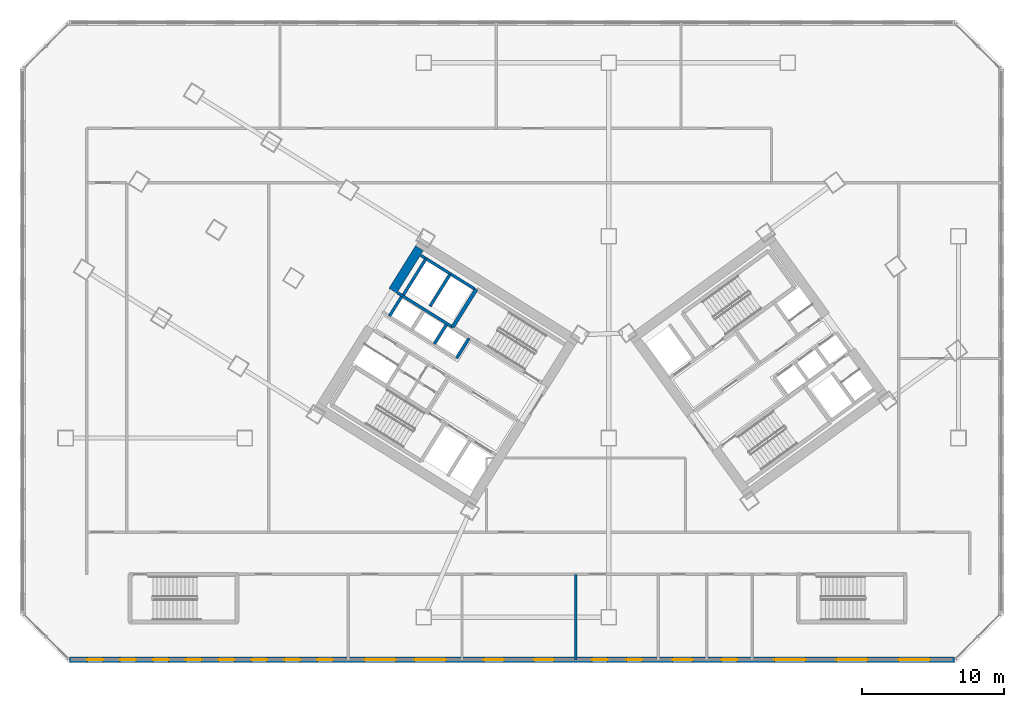
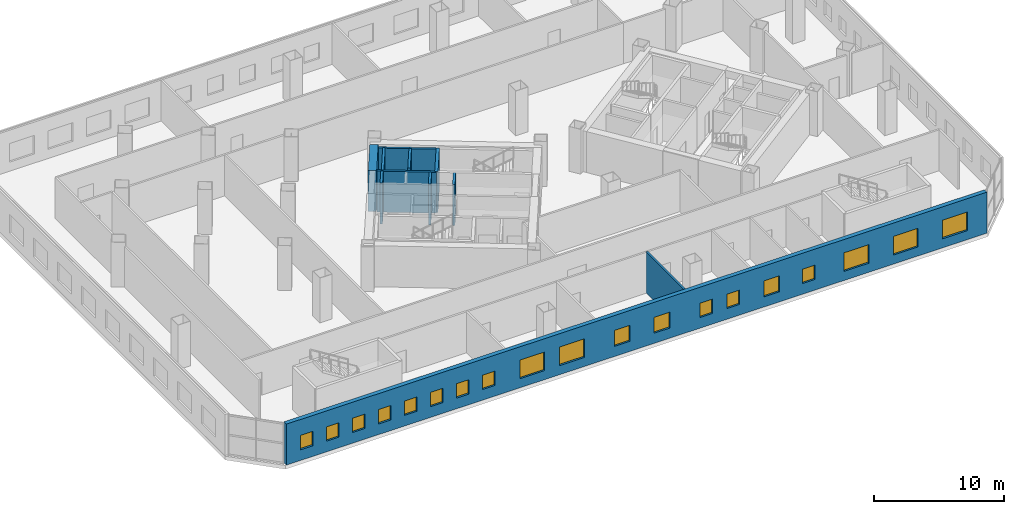
# One storey, part 11 of 22: 19 windows, 11 walls, 19 openings.
"""IFC4 building model written with IfcOpenShell, lengths in metres."""

import ifcopenshell
import ifcopenshell.guid

model = None  # the IFC model being written
_history = None  # IfcOwnerHistory: only IFC2X3 demands one
_inside = {}  # id of a spatial element -> (the spatial element, [elements in it])
_under = {}  # id of a project, library or spatial element -> (it, [spatial elements below it])
_declared = {}  # id of a project -> (the project, [libraries it declares])
_typed = {}  # id of a type object -> (the type object, [elements of that type])
_made_of = {}  # id of a material, layer set ... -> (it, [elements and type objects made of it])


def new_model(schema):
    """Start an empty IFC model of exactly this schema.

    Asked for "IFC4X3", IfcOpenShell would pick the latest addendum, in which some entities
    have other attributes; the version numbers below select the first issue.
    IFC2X3 requires an IfcOwnerHistory on every rooted entity: one is made here for all.
    """
    global model, _history
    if schema == "IFC4X3":
        model = ifcopenshell.file(schema_version=(4, 3, 0, 0))
    else:
        model = ifcopenshell.file(schema=schema)
    _inside.clear()
    _under.clear()
    _declared.clear()
    _typed.clear()
    _made_of.clear()
    _history = None
    if model.schema == "IFC2X3":
        org = make("IfcOrganization", Name="unknown")
        user = make(
            "IfcPersonAndOrganization",
            ThePerson=make("IfcPerson", FamilyName="unknown"),
            TheOrganization=org,
        )
        app = make(
            "IfcApplication",
            ApplicationDeveloper=org,
            Version="unknown",
            ApplicationFullName="unknown",
            ApplicationIdentifier="unknown",
        )
        _history = make(
            "IfcOwnerHistory",
            OwningUser=user,
            OwningApplication=app,
            ChangeAction="ADDED",
            CreationDate=0,
        )
    return model


def make(cls, **values):
    """One entity of the class cls with the attributes given. An attribute that is None is left unset."""
    return model.create_entity(
        cls, **{name: value for name, value in values.items() if value is not None}
    )


def rooted(cls, **values):
    """An entity with a GlobalId (a new one), such as an element, a storey or a relation."""
    return make(cls, GlobalId=ifcopenshell.guid.new(), OwnerHistory=_history, **values)


def si_unit(unit_type, name, prefix=None):
    """IfcSIUnit, for example si_unit("LENGTHUNIT", "METRE", prefix="MILLI")."""
    return make("IfcSIUnit", UnitType=unit_type, Prefix=prefix, Name=name)


def assignment(units):
    """IfcUnitAssignment: the units of a project."""
    return None if units is None else make("IfcUnitAssignment", Units=units)


def point(xyz):
    """IfcCartesianPoint."""
    return None if xyz is None else make("IfcCartesianPoint", Coordinates=xyz)


def direction(xyz):
    """IfcDirection."""
    return None if xyz is None else make("IfcDirection", DirectionRatios=xyz)


def frame(location, z_axis=None, x_axis=None):
    """IfcAxis2Placement3D, a coordinate frame: its origin and axes. An axis left out is left unset."""
    return make(
        "IfcAxis2Placement3D",
        Location=point(location),
        Axis=direction(z_axis),
        RefDirection=direction(x_axis),
    )


def frame_2d(location, x_axis=None):
    """IfcAxis2Placement2D, a coordinate frame in the plane: its origin and x axis."""
    return make(
        "IfcAxis2Placement2D", Location=point(location), RefDirection=direction(x_axis)
    )


def origin():
    """The frame at (0, 0, 0) with its axes left unset."""
    return frame((0.0, 0.0, 0.0))


def place(relative_to, where):
    """IfcLocalPlacement: puts the frame where relative to a parent placement (None: the world)."""
    return make(
        "IfcLocalPlacement", PlacementRelTo=relative_to, RelativePlacement=where
    )


def context(
    kind, dimensions, precision=None, world=None, true_north=None, identifier=None
):
    """IfcGeometricRepresentationContext, for example the 3D "Model" context."""
    return make(
        "IfcGeometricRepresentationContext",
        ContextIdentifier=identifier,
        ContextType=kind,
        CoordinateSpaceDimension=dimensions,
        Precision=precision,
        WorldCoordinateSystem=world,
        TrueNorth=true_north,
    )


def subcontext(parent, identifier, kind, view, scale=None):
    """IfcGeometricRepresentationSubContext, for example "Body" below "Model"."""
    return make(
        "IfcGeometricRepresentationSubContext",
        ContextIdentifier=identifier,
        ContextType=kind,
        ParentContext=parent,
        TargetScale=scale,
        TargetView=view,
    )


def project(units=None, contexts=None):
    """IfcProject with its units and contexts."""
    return rooted(
        "IfcProject",
        Name="project",
        RepresentationContexts=contexts,
        UnitsInContext=assignment(units),
    )


def spatial(cls, under=None, at=None, **own):
    """A site, building, storey or space (cls), placed at a placement, below another one or the project."""
    s = rooted(cls, ObjectPlacement=at, **own)
    if under is not None:
        _under.setdefault(under.id(), (under, []))[1].append(s)
    return s


def profile(cls, at=None, kind="AREA", **sizes):
    """A parametric profile (cls). Its sizes go by their IFC names, for example OverallWidth=200.0."""
    return make(cls, ProfileType=kind, Position=at, **sizes)


def rectangle(**sizes):
    """IfcRectangleProfileDef."""
    return profile("IfcRectangleProfileDef", **sizes)


def extrude(swept, where, along, depth):
    """IfcExtrudedAreaSolid: the profile swept, set in the frame where, extruded along a direction by depth."""
    return make(
        "IfcExtrudedAreaSolid",
        SweptArea=swept,
        Position=where,
        ExtrudedDirection=direction(along),
        Depth=depth,
    )


def shape(context_of_items, identifier, shape_type, items):
    """IfcShapeRepresentation: the items that make up one representation, for example the "Body"."""
    return make(
        "IfcShapeRepresentation",
        ContextOfItems=context_of_items,
        RepresentationIdentifier=identifier,
        RepresentationType=shape_type,
        Items=items,
    )


def source(mapping_origin, context_of_items, identifier, shape_type, items):
    """IfcRepresentationMap: a shape defined once, which mapped items show again and again."""
    return make(
        "IfcRepresentationMap",
        MappingOrigin=mapping_origin,
        MappedRepresentation=shape(context_of_items, identifier, shape_type, items),
    )


def transform(
    local_origin,
    x_axis=None,
    y_axis=None,
    z_axis=None,
    scale=None,
    scale2=None,
    scale3=None,
    uniform=True,
):
    """IfcCartesianTransformationOperator3D, or its non-uniform kind. x_axis, y_axis, z_axis: its Axis1, 2, 3."""
    if uniform:
        return make(
            "IfcCartesianTransformationOperator3D",
            Axis1=direction(x_axis),
            Axis2=direction(y_axis),
            LocalOrigin=point(local_origin),
            Scale=scale,
            Axis3=direction(z_axis),
        )
    return make(
        "IfcCartesianTransformationOperator3DnonUniform",
        Axis1=direction(x_axis),
        Axis2=direction(y_axis),
        LocalOrigin=point(local_origin),
        Scale=scale,
        Axis3=direction(z_axis),
        Scale2=scale2,
        Scale3=scale3,
    )


def mapped(mapping_source, mapping_target):
    """IfcMappedItem: shows the shape of a source again, moved by a transform."""
    return make(
        "IfcMappedItem", MappingSource=mapping_source, MappingTarget=mapping_target
    )


def material(Name=None, Category=None):
    """IfcMaterial."""
    return make("IfcMaterial", Name=Name, Category=Category)


def layer(
    of_material, thickness, ventilated=None, Name=None, Category=None, Priority=None
):
    """IfcMaterialLayer: one layer of a wall or slab, of a material (None: an air gap)."""
    return make(
        "IfcMaterialLayer",
        Material=of_material,
        LayerThickness=thickness,
        IsVentilated=ventilated,
        Name=Name,
        Category=Category,
        Priority=Priority,
    )


def layer_set(layers, Name=None):
    """IfcMaterialLayerSet."""
    return make("IfcMaterialLayerSet", MaterialLayers=layers, LayerSetName=Name)


def made_of(thing, what):
    """Note that an element or type object is made of a material, layer set ...; save() writes the relation."""
    if what is not None:
        _made_of.setdefault(what.id(), (what, []))[1].append(thing)
    return thing


def type_object(cls, material=None, **own):
    """A type object (cls), such as IfcWallType, which elements share."""
    return made_of(rooted(cls, **own), material)


def element(
    cls,
    number,
    at=None,
    inside=None,
    cuts=None,
    type_object=None,
    material=None,
    context=None,
    identifier="Body",
    shape_type=None,
    held_by="IfcProductDefinitionShape",
    body=None,
    shapes=None,
    **own,
):
    """One element of the class cls, such as IfcWall. Its Tag is "e" and its number.

    at: its placement. inside: the storey or other place that contains it. cuts: it is an
    opening in that element (IfcRelVoidsElement). A single representation is given by context,
    identifier, shape_type and body (its items); several are given by shapes. held_by: the class
    of the entity that holds the representations. save() writes the other relations.
    """
    e = rooted(cls, Tag="e%d" % number, ObjectPlacement=at, **own)
    if body is not None:
        shapes = [shape(context, identifier, shape_type, body)]
    if shapes is not None:
        e.Representation = make(held_by, Representations=shapes)
    if inside is not None:
        _inside.setdefault(inside.id(), (inside, []))[1].append(e)
    if cuts is not None:
        rooted(
            "IfcRelVoidsElement", RelatingBuildingElement=cuts, RelatedOpeningElement=e
        )
    if type_object is not None:
        _typed.setdefault(type_object.id(), (type_object, []))[1].append(e)
    return made_of(e, material)


def fill(opening, filler):
    """IfcRelFillsElement: the door or window that sits in an opening."""
    return rooted(
        "IfcRelFillsElement",
        RelatingOpeningElement=opening,
        RelatedBuildingElement=filler,
    )


def aggregate(whole, parts):
    """IfcRelAggregates: a whole, such as a stair, and the parts it consists of."""
    return rooted("IfcRelAggregates", RelatingObject=whole, RelatedObjects=parts)


def save(model, path):
    """Write the relations noted so far, then the file.

    IfcRelAggregates (storeys below a building ...), IfcRelContainedInSpatialStructure (elements
    in a storey), IfcRelDefinesByType, IfcRelAssociatesMaterial and IfcRelDeclares: one each for
    every whole, place, type object, material and project.
    """
    for whole, parts in _under.values():
        aggregate(whole, parts)
    for where, things in _inside.values():
        rooted(
            "IfcRelContainedInSpatialStructure",
            RelatedElements=things,
            RelatingStructure=where,
        )
    for kind, things in _typed.values():
        rooted("IfcRelDefinesByType", RelatedObjects=things, RelatingType=kind)
    for what, things in _made_of.values():
        rooted("IfcRelAssociatesMaterial", RelatedObjects=things, RelatingMaterial=what)
    for by, libraries in _declared.values():
        rooted("IfcRelDeclares", RelatingContext=by, RelatedDefinitions=libraries)
    model.write(path)


model = new_model("IFC4")

# Units and contexts
model_context = context("Model", 3, precision=1e-05, world=origin(), true_north=direction((0.0, 1.0)))
body_context = subcontext(model_context, "Body", "Model", "MODEL_VIEW")
ifc_project = project(units=[si_unit("LENGTHUNIT", "METRE"), si_unit("AREAUNIT", "SQUARE_METRE"), si_unit("VOLUMEUNIT", "CUBIC_METRE"), si_unit("PLANEANGLEUNIT", "RADIAN"), si_unit("MASSUNIT", "GRAM", prefix="KILO")], contexts=[model_context])

# Site, building, storey
site_placement = place(None, origin())
site = spatial("IfcSite", under=ifc_project, at=site_placement, CompositionType="ELEMENT")
building_placement = place(site_placement, origin())
building = spatial("IfcBuilding", under=site, at=building_placement, Name="Tlacorven Tower", CompositionType="ELEMENT")
storey_placement = place(building_placement, frame((0.0, 0.0, 10.199951171875)))
storey = spatial("IfcBuildingStorey", under=building, at=storey_placement, Name="L02", CompositionType="ELEMENT", Elevation=10.199951171875)

# Walls
ifc_material_1 = material(Name="Concrete C60/75", Category="concrete")
ifc_layer_1 = layer(ifc_material_1, 0.64990234375)
ifc_layer_set_1 = layer_set([ifc_layer_1], Name="Concrete C60/75")
wall_type_1 = type_object("IfcWallType", Name="WL-COR-650", PredefinedType="SHEAR", material=ifc_layer_set_1)
wall_1_placement = place(storey_placement, frame((29.49072265625, 30.5517578125, 0.0), z_axis=(0.0, 0.0, 1.0), x_axis=(-0.529893103397, -0.8480644427, 0.0)))
element("IfcWall", 1, at=wall_1_placement, inside=storey, type_object=wall_type_1, Name="L02 W core end wall E2.1", PredefinedType="SHEAR", context=body_context, shape_type="SweptSolid", body=[
    extrude(rectangle(XDim=3.525146484375, YDim=0.64990234375, at=frame_2d((1.7626953125, 0.0))), origin(), (0.0, 0.0, 1.0), 3.85009765625),
])
ifc_material_2 = material(Name="Gypsum plasterboard acoustic partition", Category="gypsum")
ifc_layer_2 = layer(ifc_material_2, 0.159912109375)
ifc_layer_set_2 = layer_set([ifc_layer_2], Name="Gypsum plasterboard acoustic partition")
wall_type_2 = type_object("IfcWallType", Name="WL-DEM-160", PredefinedType="PARTITIONING", material=ifc_layer_set_2)
wall_2_placement = place(storey_placement, frame((40.489990234375, 1.60009765625, 0.0), z_axis=(0.0, 0.0, 1.0), x_axis=(0.0, 1.0, 0.0)))
element("IfcWall", 2, at=wall_2_placement, inside=storey, type_object=wall_type_2, Name="L02 partition 71", PredefinedType="PARTITIONING", context=body_context, shape_type="SweptSolid", body=[
    extrude(rectangle(XDim=6.02001953125, YDim=0.159912109375, at=frame_2d((3.010009765625, 0.0))), origin(), (0.0, 0.0, 1.0), 3.840087890625),
])

# Wall, openings, windows
ifc_material_3 = material(Name="Precast concrete C45/55", Category="concrete")
ifc_layer_3 = layer(ifc_material_3, 0.3798828125)
ifc_layer_set_3 = layer_set([ifc_layer_3], Name="Precast concrete C45/55")
wall_type_3 = type_object("IfcWallType", Name="WL-EXT-380", PredefinedType="STANDARD", material=ifc_layer_set_3)
wall_3_placement = place(storey_placement, frame((67.1171875, 1.60009765625, 0.0), z_axis=(0.0, 0.0, 1.0), x_axis=(-1.0, 0.0, 0.0)))
wall_3 = element("IfcWall", 3, at=wall_3_placement, inside=storey, type_object=wall_type_3, Name="L02 Podium Masonry-Frame Facade Wall 8", PredefinedType="STANDARD", context=body_context, shape_type="SweptSolid", body=[
    extrude(rectangle(XDim=62.234375, YDim=0.3798828125, at=frame_2d((31.1171875, 0.0))), origin(), (0.0, 0.0, 1.0), 3.85009765625),
])
opening_1_placement = place(wall_3_placement, frame((1.734619140625, 0.0, 0.85009765625)))
opening_1 = element("IfcOpeningElement", 4, at=opening_1_placement, cuts=wall_3, Name="Opening WN14", PredefinedType="OPENING", context=body_context, shape_type="SweptSolid", body=[
    extrude(rectangle(XDim=2.199951171875, YDim=1.75, at=frame_2d((1.10009765625, 0.875))), frame((0.0, 0.199951171875, 0.0), z_axis=(0.0, -1.0, 0.0), x_axis=(1.0, 0.0, 0.0)), (0.0, 0.0, 1.0), 0.39990234375),
])
opening_2_placement = place(wall_3_placement, frame((6.103515625, 0.0, 0.85009765625)))
opening_2 = element("IfcOpeningElement", 5, at=opening_2_placement, cuts=wall_3, Name="Opening WN14", PredefinedType="OPENING", context=body_context, shape_type="SweptSolid", body=[
    extrude(rectangle(XDim=2.199951171875, YDim=1.75, at=frame_2d((1.10009765625, 0.875))), frame((0.0, 0.199951171875, 0.0), z_axis=(0.0, -1.0, 0.0), x_axis=(1.0, 0.0, 0.0)), (0.0, 0.0, 1.0), 0.39990234375),
])
opening_3_placement = place(wall_3_placement, frame((10.47265625, 0.0, 0.85009765625)))
opening_3 = element("IfcOpeningElement", 6, at=opening_3_placement, cuts=wall_3, Name="Opening WN14", PredefinedType="OPENING", context=body_context, shape_type="SweptSolid", body=[
    extrude(rectangle(XDim=2.199951171875, YDim=1.75, at=frame_2d((1.10009765625, 0.875))), frame((0.0, 0.199951171875, 0.0), z_axis=(0.0, -1.0, 0.0), x_axis=(1.0, 0.0, 0.0)), (0.0, 0.0, 1.0), 0.39990234375),
])
opening_4_placement = place(wall_3_placement, frame((15.277099609375, 0.0, 1.0)))
opening_4 = element("IfcOpeningElement", 7, at=opening_4_placement, cuts=wall_3, Name="Opening WN16", PredefinedType="OPENING", context=body_context, shape_type="SweptSolid", body=[
    extrude(rectangle(XDim=1.10009765625, YDim=1.35009765625, at=frame_2d((0.550048828125, 0.675048828125))), frame((0.0, 0.199951171875, 0.0), z_axis=(0.0, -1.0, 0.0), x_axis=(1.0, 0.0, 0.0)), (0.0, 0.0, 1.0), 0.39990234375),
])
opening_5_placement = place(wall_3_placement, frame((18.422119140625, 0.0, 0.949951171875)))
opening_5 = element("IfcOpeningElement", 8, at=opening_5_placement, cuts=wall_3, Name="Opening WN15", PredefinedType="OPENING", context=body_context, shape_type="SweptSolid", body=[
    extrude(rectangle(XDim=1.39990234375, YDim=1.5, at=frame_2d((0.699951171875, 0.75))), frame((0.0, 0.199951171875, 0.0), z_axis=(0.0, -1.0, 0.0), x_axis=(1.0, 0.0, 0.0)), (0.0, 0.0, 1.0), 0.39990234375),
])
opening_6_placement = place(wall_3_placement, frame((21.96728515625, 0.0, 1.0)))
opening_6 = element("IfcOpeningElement", 9, at=opening_6_placement, cuts=wall_3, Name="Opening WN16", PredefinedType="OPENING", context=body_context, shape_type="SweptSolid", body=[
    extrude(rectangle(XDim=1.10009765625, YDim=1.35009765625, at=frame_2d((0.550048828125, 0.675048828125))), frame((0.0, 0.199951171875, 0.0), z_axis=(0.0, -1.0, 0.0), x_axis=(1.0, 0.0, 0.0)), (0.0, 0.0, 1.0), 0.39990234375),
])
opening_7_placement = place(wall_3_placement, frame((24.38720703125, 0.0, 1.0)))
opening_7 = element("IfcOpeningElement", 10, at=opening_7_placement, cuts=wall_3, Name="Opening WN16", PredefinedType="OPENING", context=body_context, shape_type="SweptSolid", body=[
    extrude(rectangle(XDim=1.10009765625, YDim=1.35009765625, at=frame_2d((0.550048828125, 0.675048828125))), frame((0.0, 0.199951171875, 0.0), z_axis=(0.0, -1.0, 0.0), x_axis=(1.0, 0.0, 0.0)), (0.0, 0.0, 1.0), 0.39990234375),
])
opening_8_placement = place(wall_3_placement, frame((28.167236328125, 0.0, 0.949951171875)))
opening_8 = element("IfcOpeningElement", 11, at=opening_8_placement, cuts=wall_3, Name="Opening WN15", PredefinedType="OPENING", context=body_context, shape_type="SweptSolid", body=[
    extrude(rectangle(XDim=1.39990234375, YDim=1.5, at=frame_2d((0.699951171875, 0.75))), frame((0.0, 0.199951171875, 0.0), z_axis=(0.0, -1.0, 0.0), x_axis=(1.0, 0.0, 0.0)), (0.0, 0.0, 1.0), 0.39990234375),
])
opening_9_placement = place(wall_3_placement, frame((31.687255859375, 0.0, 0.949951171875)))
opening_9 = element("IfcOpeningElement", 12, at=opening_9_placement, cuts=wall_3, Name="Opening WN15", PredefinedType="OPENING", context=body_context, shape_type="SweptSolid", body=[
    extrude(rectangle(XDim=1.39990234375, YDim=1.5, at=frame_2d((0.699951171875, 0.75))), frame((0.0, 0.199951171875, 0.0), z_axis=(0.0, -1.0, 0.0), x_axis=(1.0, 0.0, 0.0)), (0.0, 0.0, 1.0), 0.39990234375),
])
opening_10_placement = place(wall_3_placement, frame((35.76708984375, 0.0, 0.85009765625)))
opening_10 = element("IfcOpeningElement", 13, at=opening_10_placement, cuts=wall_3, Name="Opening WN14", PredefinedType="OPENING", context=body_context, shape_type="SweptSolid", body=[
    extrude(rectangle(XDim=2.199951171875, YDim=1.75, at=frame_2d((1.10009765625, 0.875))), frame((0.0, 0.199951171875, 0.0), z_axis=(0.0, -1.0, 0.0), x_axis=(1.0, 0.0, 0.0)), (0.0, 0.0, 1.0), 0.39990234375),
])
opening_11_placement = place(wall_3_placement, frame((39.287109375, 0.0, 0.85009765625)))
opening_11 = element("IfcOpeningElement", 14, at=opening_11_placement, cuts=wall_3, Name="Opening WN14", PredefinedType="OPENING", context=body_context, shape_type="SweptSolid", body=[
    extrude(rectangle(XDim=2.199951171875, YDim=1.75, at=frame_2d((1.10009765625, 0.875))), frame((0.0, 0.199951171875, 0.0), z_axis=(0.0, -1.0, 0.0), x_axis=(1.0, 0.0, 0.0)), (0.0, 0.0, 1.0), 0.39990234375),
])
opening_12_placement = place(wall_3_placement, frame((43.7119140625, 0.0, 1.0)))
opening_12 = element("IfcOpeningElement", 15, at=opening_12_placement, cuts=wall_3, Name="Opening WN16", PredefinedType="OPENING", context=body_context, shape_type="SweptSolid", body=[
    extrude(rectangle(XDim=1.10009765625, YDim=1.35009765625, at=frame_2d((0.550048828125, 0.675048828125))), frame((0.0, 0.199951171875, 0.0), z_axis=(0.0, -1.0, 0.0), x_axis=(1.0, 0.0, 0.0)), (0.0, 0.0, 1.0), 0.39990234375),
])
opening_13_placement = place(wall_3_placement, frame((46.021484375, 0.0, 1.0)))
opening_13 = element("IfcOpeningElement", 16, at=opening_13_placement, cuts=wall_3, Name="Opening WN16", PredefinedType="OPENING", context=body_context, shape_type="SweptSolid", body=[
    extrude(rectangle(XDim=1.10009765625, YDim=1.35009765625, at=frame_2d((0.550048828125, 0.675048828125))), frame((0.0, 0.199951171875, 0.0), z_axis=(0.0, -1.0, 0.0), x_axis=(1.0, 0.0, 0.0)), (0.0, 0.0, 1.0), 0.39990234375),
])
opening_14_placement = place(wall_3_placement, frame((48.331298828125, 0.0, 1.0)))
opening_14 = element("IfcOpeningElement", 17, at=opening_14_placement, cuts=wall_3, Name="Opening WN16", PredefinedType="OPENING", context=body_context, shape_type="SweptSolid", body=[
    extrude(rectangle(XDim=1.10009765625, YDim=1.35009765625, at=frame_2d((0.550048828125, 0.675048828125))), frame((0.0, 0.199951171875, 0.0), z_axis=(0.0, -1.0, 0.0), x_axis=(1.0, 0.0, 0.0)), (0.0, 0.0, 1.0), 0.39990234375),
])
opening_15_placement = place(wall_3_placement, frame((50.640869140625, 0.0, 1.0)))
opening_15 = element("IfcOpeningElement", 18, at=opening_15_placement, cuts=wall_3, Name="Opening WN16", PredefinedType="OPENING", context=body_context, shape_type="SweptSolid", body=[
    extrude(rectangle(XDim=1.10009765625, YDim=1.35009765625, at=frame_2d((0.550048828125, 0.675048828125))), frame((0.0, 0.199951171875, 0.0), z_axis=(0.0, -1.0, 0.0), x_axis=(1.0, 0.0, 0.0)), (0.0, 0.0, 1.0), 0.39990234375),
])
opening_16_placement = place(wall_3_placement, frame((52.95068359375, 0.0, 1.0)))
opening_16 = element("IfcOpeningElement", 19, at=opening_16_placement, cuts=wall_3, Name="Opening WN16", PredefinedType="OPENING", context=body_context, shape_type="SweptSolid", body=[
    extrude(rectangle(XDim=1.10009765625, YDim=1.35009765625, at=frame_2d((0.550048828125, 0.675048828125))), frame((0.0, 0.199951171875, 0.0), z_axis=(0.0, -1.0, 0.0), x_axis=(1.0, 0.0, 0.0)), (0.0, 0.0, 1.0), 0.39990234375),
])
opening_17_placement = place(wall_3_placement, frame((55.26025390625, 0.0, 1.0)))
opening_17 = element("IfcOpeningElement", 20, at=opening_17_placement, cuts=wall_3, Name="Opening WN16", PredefinedType="OPENING", context=body_context, shape_type="SweptSolid", body=[
    extrude(rectangle(XDim=1.10009765625, YDim=1.35009765625, at=frame_2d((0.550048828125, 0.675048828125))), frame((0.0, 0.199951171875, 0.0), z_axis=(0.0, -1.0, 0.0), x_axis=(1.0, 0.0, 0.0)), (0.0, 0.0, 1.0), 0.39990234375),
])
opening_18_placement = place(wall_3_placement, frame((57.56982421875, 0.0, 1.0)))
opening_18 = element("IfcOpeningElement", 21, at=opening_18_placement, cuts=wall_3, Name="Opening WN16", PredefinedType="OPENING", context=body_context, shape_type="SweptSolid", body=[
    extrude(rectangle(XDim=1.10009765625, YDim=1.35009765625, at=frame_2d((0.550048828125, 0.675048828125))), frame((0.0, 0.199951171875, 0.0), z_axis=(0.0, -1.0, 0.0), x_axis=(1.0, 0.0, 0.0)), (0.0, 0.0, 1.0), 0.39990234375),
])
opening_19_placement = place(wall_3_placement, frame((59.87939453125, 0.0, 1.0)))
opening_19 = element("IfcOpeningElement", 22, at=opening_19_placement, cuts=wall_3, Name="Opening WN16", PredefinedType="OPENING", context=body_context, shape_type="SweptSolid", body=[
    extrude(rectangle(XDim=1.10009765625, YDim=1.35009765625, at=frame_2d((0.550048828125, 0.675048828125))), frame((0.0, 0.199951171875, 0.0), z_axis=(0.0, -1.0, 0.0), x_axis=(1.0, 0.0, 0.0)), (0.0, 0.0, 1.0), 0.39990234375),
])
ifc_material_4 = material(Name="Dark solar low-E double glazing in anodised aluminium frame", Category="aluminium")
window_type_1 = type_object("IfcWindowType", Name="WN-CLN-2200X1850", PartitioningType="SINGLE_PANEL", PredefinedType="WINDOW", material=ifc_material_4)
shared_shape_1 = source(origin(), body_context, "Body", "SweptSolid", [
    extrude(rectangle(XDim=2.199951171875, YDim=1.75, at=frame_2d((1.10009765625, 0.875))), frame((0.0, 0.030029296875, 0.0), z_axis=(0.0, -1.0, 0.0), x_axis=(1.0, 0.0, 0.0)), (0.0, 0.0, 1.0), 0.06005859375),
])
window_1_placement = place(opening_1_placement, origin())
window_1 = element("IfcWindow", 23, at=window_1_placement, inside=storey, type_object=window_type_1, Name="L02 Podium Recessed Facade Window 8.1", OverallHeight=1.75, OverallWidth=2.199951171875, PartitioningType="SINGLE_PANEL", PredefinedType="WINDOW", context=body_context, shape_type="MappedRepresentation", body=[
    mapped(shared_shape_1, transform((0.0, 0.0, 0.0), scale=1.0)),
])
fill(opening_1, window_1)
window_2_placement = place(opening_2_placement, origin())
window_2 = element("IfcWindow", 24, at=window_2_placement, inside=storey, type_object=window_type_1, Name="L02 Podium Recessed Facade Window 8.2", OverallHeight=1.75, OverallWidth=2.199951171875, PartitioningType="SINGLE_PANEL", PredefinedType="WINDOW", context=body_context, shape_type="MappedRepresentation", body=[
    mapped(shared_shape_1, transform((0.0, 0.0, 0.0), scale=1.0)),
])
fill(opening_2, window_2)
window_3_placement = place(opening_3_placement, origin())
window_3 = element("IfcWindow", 25, at=window_3_placement, inside=storey, type_object=window_type_1, Name="L02 Podium Recessed Facade Window 8.3", OverallHeight=1.75, OverallWidth=2.199951171875, PartitioningType="SINGLE_PANEL", PredefinedType="WINDOW", context=body_context, shape_type="MappedRepresentation", body=[
    mapped(shared_shape_1, transform((0.0, 0.0, 0.0), scale=1.0)),
])
fill(opening_3, window_3)
window_4_placement = place(opening_10_placement, origin())
window_4 = element("IfcWindow", 26, at=window_4_placement, inside=storey, type_object=window_type_1, Name="L02 Podium Recessed Facade Window 8.10", OverallHeight=1.75, OverallWidth=2.199951171875, PartitioningType="SINGLE_PANEL", PredefinedType="WINDOW", context=body_context, shape_type="MappedRepresentation", body=[
    mapped(shared_shape_1, transform((0.0, 0.0, 0.0), scale=1.0)),
])
fill(opening_10, window_4)
window_5_placement = place(opening_11_placement, origin())
window_5 = element("IfcWindow", 27, at=window_5_placement, inside=storey, type_object=window_type_1, Name="L02 Podium Recessed Facade Window 8.11", OverallHeight=1.75, OverallWidth=2.199951171875, PartitioningType="SINGLE_PANEL", PredefinedType="WINDOW", context=body_context, shape_type="MappedRepresentation", body=[
    mapped(shared_shape_1, transform((0.0, 0.0, 0.0), scale=1.0)),
])
fill(opening_11, window_5)
window_type_2 = type_object("IfcWindowType", Name="WN-CLN-1100X1400", PartitioningType="SINGLE_PANEL", PredefinedType="WINDOW", material=ifc_material_4)
shared_shape_2 = source(origin(), body_context, "Body", "SweptSolid", [
    extrude(rectangle(XDim=1.10009765625, YDim=1.35009765625, at=frame_2d((0.550048828125, 0.675048828125))), frame((0.0, 0.030029296875, 0.0), z_axis=(0.0, -1.0, 0.0), x_axis=(1.0, 0.0, 0.0)), (0.0, 0.0, 1.0), 0.06005859375),
])
window_6_placement = place(opening_4_placement, origin())
window_6 = element("IfcWindow", 28, at=window_6_placement, inside=storey, type_object=window_type_2, Name="L02 Podium Recessed Facade Window 8.4", OverallHeight=1.35009765625, OverallWidth=1.10009765625, PartitioningType="SINGLE_PANEL", PredefinedType="WINDOW", context=body_context, shape_type="MappedRepresentation", body=[
    mapped(shared_shape_2, transform((0.0, 0.0, 0.0), scale=1.0)),
])
fill(opening_4, window_6)
window_7_placement = place(opening_6_placement, origin())
window_7 = element("IfcWindow", 29, at=window_7_placement, inside=storey, type_object=window_type_2, Name="L02 Podium Recessed Facade Window 8.6", OverallHeight=1.35009765625, OverallWidth=1.10009765625, PartitioningType="SINGLE_PANEL", PredefinedType="WINDOW", context=body_context, shape_type="MappedRepresentation", body=[
    mapped(shared_shape_2, transform((0.0, 0.0, 0.0), scale=1.0)),
])
fill(opening_6, window_7)
window_8_placement = place(opening_7_placement, origin())
window_8 = element("IfcWindow", 30, at=window_8_placement, inside=storey, type_object=window_type_2, Name="L02 Podium Recessed Facade Window 8.7", OverallHeight=1.35009765625, OverallWidth=1.10009765625, PartitioningType="SINGLE_PANEL", PredefinedType="WINDOW", context=body_context, shape_type="MappedRepresentation", body=[
    mapped(shared_shape_2, transform((0.0, 0.0, 0.0), scale=1.0)),
])
fill(opening_7, window_8)
window_9_placement = place(opening_12_placement, origin())
window_9 = element("IfcWindow", 31, at=window_9_placement, inside=storey, type_object=window_type_2, Name="L02 Podium Recessed Facade Window 8.12", OverallHeight=1.35009765625, OverallWidth=1.10009765625, PartitioningType="SINGLE_PANEL", PredefinedType="WINDOW", context=body_context, shape_type="MappedRepresentation", body=[
    mapped(shared_shape_2, transform((0.0, 0.0, 0.0), scale=1.0)),
])
fill(opening_12, window_9)
window_10_placement = place(opening_13_placement, origin())
window_10 = element("IfcWindow", 32, at=window_10_placement, inside=storey, type_object=window_type_2, Name="L02 Podium Recessed Facade Window 8.13", OverallHeight=1.35009765625, OverallWidth=1.10009765625, PartitioningType="SINGLE_PANEL", PredefinedType="WINDOW", context=body_context, shape_type="MappedRepresentation", body=[
    mapped(shared_shape_2, transform((0.0, 0.0, 0.0), scale=1.0)),
])
fill(opening_13, window_10)
window_11_placement = place(opening_14_placement, origin())
window_11 = element("IfcWindow", 33, at=window_11_placement, inside=storey, type_object=window_type_2, Name="L02 Podium Recessed Facade Window 8.14", OverallHeight=1.35009765625, OverallWidth=1.10009765625, PartitioningType="SINGLE_PANEL", PredefinedType="WINDOW", context=body_context, shape_type="MappedRepresentation", body=[
    mapped(shared_shape_2, transform((0.0, 0.0, 0.0), scale=1.0)),
])
fill(opening_14, window_11)
window_12_placement = place(opening_15_placement, origin())
window_12 = element("IfcWindow", 34, at=window_12_placement, inside=storey, type_object=window_type_2, Name="L02 Podium Recessed Facade Window 8.15", OverallHeight=1.35009765625, OverallWidth=1.10009765625, PartitioningType="SINGLE_PANEL", PredefinedType="WINDOW", context=body_context, shape_type="MappedRepresentation", body=[
    mapped(shared_shape_2, transform((0.0, 0.0, 0.0), scale=1.0)),
])
fill(opening_15, window_12)
window_13_placement = place(opening_16_placement, origin())
window_13 = element("IfcWindow", 35, at=window_13_placement, inside=storey, type_object=window_type_2, Name="L02 Podium Recessed Facade Window 8.16", OverallHeight=1.35009765625, OverallWidth=1.10009765625, PartitioningType="SINGLE_PANEL", PredefinedType="WINDOW", context=body_context, shape_type="MappedRepresentation", body=[
    mapped(shared_shape_2, transform((0.0, 0.0, 0.0), scale=1.0)),
])
fill(opening_16, window_13)
window_14_placement = place(opening_17_placement, origin())
window_14 = element("IfcWindow", 36, at=window_14_placement, inside=storey, type_object=window_type_2, Name="L02 Podium Recessed Facade Window 8.17", OverallHeight=1.35009765625, OverallWidth=1.10009765625, PartitioningType="SINGLE_PANEL", PredefinedType="WINDOW", context=body_context, shape_type="MappedRepresentation", body=[
    mapped(shared_shape_2, transform((0.0, 0.0, 0.0), scale=1.0)),
])
fill(opening_17, window_14)
window_15_placement = place(opening_18_placement, origin())
window_15 = element("IfcWindow", 37, at=window_15_placement, inside=storey, type_object=window_type_2, Name="L02 Podium Recessed Facade Window 8.18", OverallHeight=1.35009765625, OverallWidth=1.10009765625, PartitioningType="SINGLE_PANEL", PredefinedType="WINDOW", context=body_context, shape_type="MappedRepresentation", body=[
    mapped(shared_shape_2, transform((0.0, 0.0, 0.0), scale=1.0)),
])
fill(opening_18, window_15)
window_16_placement = place(opening_19_placement, origin())
window_16 = element("IfcWindow", 38, at=window_16_placement, inside=storey, type_object=window_type_2, Name="L02 Podium Recessed Facade Window 8.19", OverallHeight=1.35009765625, OverallWidth=1.10009765625, PartitioningType="SINGLE_PANEL", PredefinedType="WINDOW", context=body_context, shape_type="MappedRepresentation", body=[
    mapped(shared_shape_2, transform((0.0, 0.0, 0.0), scale=1.0)),
])
fill(opening_19, window_16)
window_type_3 = type_object("IfcWindowType", Name="WN-CLN-1400X1600", PartitioningType="SINGLE_PANEL", PredefinedType="WINDOW", material=ifc_material_4)
shared_shape_3 = source(origin(), body_context, "Body", "SweptSolid", [
    extrude(rectangle(XDim=1.39990234375, YDim=1.5, at=frame_2d((0.699951171875, 0.75))), frame((0.0, 0.030029296875, 0.0), z_axis=(0.0, -1.0, 0.0), x_axis=(1.0, 0.0, 0.0)), (0.0, 0.0, 1.0), 0.06005859375),
])
window_17_placement = place(opening_5_placement, origin())
window_17 = element("IfcWindow", 39, at=window_17_placement, inside=storey, type_object=window_type_3, Name="L02 Podium Recessed Facade Window 8.5", OverallHeight=1.5, OverallWidth=1.39990234375, PartitioningType="SINGLE_PANEL", PredefinedType="WINDOW", context=body_context, shape_type="MappedRepresentation", body=[
    mapped(shared_shape_3, transform((0.0, 0.0, 0.0), scale=1.0)),
])
fill(opening_5, window_17)
window_18_placement = place(opening_8_placement, origin())
window_18 = element("IfcWindow", 40, at=window_18_placement, inside=storey, type_object=window_type_3, Name="L02 Podium Recessed Facade Window 8.8", OverallHeight=1.5, OverallWidth=1.39990234375, PartitioningType="SINGLE_PANEL", PredefinedType="WINDOW", context=body_context, shape_type="MappedRepresentation", body=[
    mapped(shared_shape_3, transform((0.0, 0.0, 0.0), scale=1.0)),
])
fill(opening_8, window_18)
window_19_placement = place(opening_9_placement, origin())
window_19 = element("IfcWindow", 41, at=window_19_placement, inside=storey, type_object=window_type_3, Name="L02 Podium Recessed Facade Window 8.9", OverallHeight=1.5, OverallWidth=1.39990234375, PartitioningType="SINGLE_PANEL", PredefinedType="WINDOW", context=body_context, shape_type="MappedRepresentation", body=[
    mapped(shared_shape_3, transform((0.0, 0.0, 0.0), scale=1.0)),
])
fill(opening_9, window_19)

# Walls
ifc_material_5 = material(Name="Concrete C40/50", Category="concrete")
ifc_layer_4 = layer(ifc_material_5, 0.199951171875)
ifc_layer_set_4 = layer_set([ifc_layer_4], Name="Concrete C40/50")
wall_type_4 = type_object("IfcWallType", Name="WL-SHF-200", PredefinedType="STANDARD", material=ifc_layer_set_4)
wall_4_placement = place(storey_placement, frame((31.82177734375, 24.99755859375, 0.0), z_axis=(0.0, 0.0, 1.0), x_axis=(-0.848058348634, 0.529902856485, 0.0)))
element("IfcWall", 42, at=wall_4_placement, inside=storey, type_object=wall_type_4, Name="L02 Core W South Lift Shaft Wall", PredefinedType="STANDARD", context=body_context, shape_type="SweptSolid", body=[
    extrude(rectangle(XDim=4.568115234375, YDim=0.199951171875, at=frame_2d((2.2841796875, 0.0))), origin(), (0.0, 0.0, 1.0), 3.840087890625),
])
wall_5_placement = place(storey_placement, frame((32.982421875, 24.21337890625, 0.0), z_axis=(0.0, 0.0, 1.0), x_axis=(-0.529839334948, -0.84809803628, 0.0)))
element("IfcWall", 43, at=wall_5_placement, inside=storey, type_object=wall_type_4, Name="L02 partition 12", PredefinedType="STANDARD", context=body_context, shape_type="SweptSolid", body=[
    extrude(rectangle(XDim=1.650146484375, YDim=0.199951171875, at=frame_2d((0.8251953125, 0.0))), origin(), (0.0, 0.0, 1.0), 3.840087890625),
])
wall_6_placement = place(storey_placement, frame((31.645263671875, 28.716064453125, 0.0), z_axis=(0.0, 0.0, 1.0), x_axis=(-0.52986693015, -0.848080795876, 0.0)))
element("IfcWall", 44, at=wall_6_placement, inside=storey, type_object=wall_type_4, Name="L02 partition 14", PredefinedType="STANDARD", context=body_context, shape_type="SweptSolid", body=[
    extrude(rectangle(XDim=2.659912109375, YDim=0.199951171875, at=frame_2d((1.330078125, 0.0))), origin(), (0.0, 0.0, 1.0), 3.840087890625),
])
wall_7_placement = place(storey_placement, frame((33.362548828125, 27.690185546875, 0.0), z_axis=(0.0, 0.0, 1.0), x_axis=(-0.848053806312, 0.529910125964, 0.0)))
element("IfcWall", 45, at=wall_7_placement, inside=storey, type_object=wall_type_4, Name="L02 partition 16", PredefinedType="STANDARD", context=body_context, shape_type="SweptSolid", body=[
    extrude(rectangle(XDim=4.44775390625, YDim=0.199951171875, at=frame_2d((2.223876953125, 0.0))), origin(), (0.0, 0.0, 1.0), 3.840087890625),
])
wall_8_placement = place(storey_placement, frame((29.94287109375, 29.803466796875, 0.0), z_axis=(0.0, 0.0, 1.0), x_axis=(-0.529874576144, -0.848076018737, 0.0)))
element("IfcWall", 46, at=wall_8_placement, inside=storey, type_object=wall_type_4, Name="L02 partition 17", PredefinedType="STANDARD", context=body_context, shape_type="SweptSolid", body=[
    extrude(rectangle(XDim=3.0, YDim=0.199951171875, at=frame_2d((1.5, 0.0))), origin(), (0.0, 0.0, 1.0), 3.840087890625),
])
wall_9_placement = place(storey_placement, frame((31.378662109375, 25.156494140625, 0.0), z_axis=(0.0, 0.0, 1.0), x_axis=(-0.529998940003, -0.847998304005, 0.0)))
element("IfcWall", 47, at=wall_9_placement, inside=storey, type_object=wall_type_4, Name="L02 partition 18", PredefinedType="STANDARD", context=body_context, shape_type="SweptSolid", body=[
    extrude(rectangle(XDim=1.580078125, YDim=0.199951171875, at=frame_2d((0.7900390625, 0.0))), origin(), (0.0, 0.0, 1.0), 3.840087890625),
])
wall_10_placement = place(storey_placement, frame((28.234375, 27.144775390625, 0.0), z_axis=(0.0, 0.0, 1.0), x_axis=(-0.529904106539, -0.848057567547, 0.0)))
element("IfcWall", 48, at=wall_10_placement, inside=storey, type_object=wall_type_4, Name="L02 partition 20", PredefinedType="STANDARD", context=body_context, shape_type="SweptSolid", body=[
    extrude(rectangle(XDim=1.619873046875, YDim=0.199951171875, at=frame_2d((0.81005859375, 0.0))), origin(), (0.0, 0.0, 1.0), 3.840087890625),
])
ifc_material_6 = material(Name="Concrete C50/60", Category="concrete")
ifc_layer_5 = layer(ifc_material_6, 0.260009765625)
ifc_layer_set_5 = layer_set([ifc_layer_5], Name="Concrete C50/60")
wall_type_5 = type_object("IfcWallType", Name="WL-STW-260", PredefinedType="SHEAR", material=ifc_layer_set_5)
wall_11_placement = place(storey_placement, frame((33.496337890625, 27.677490234375, 0.0), z_axis=(0.0, 0.0, 1.0), x_axis=(-0.529908658664, -0.84805472316, 0.0)))
element("IfcWall", 49, at=wall_11_placement, inside=storey, type_object=wall_type_5, Name="L02 Stair W2 East Shear Wall", PredefinedType="SHEAR", context=body_context, shape_type="SweptSolid", body=[
    extrude(rectangle(XDim=3.16015625, YDim=0.260009765625, at=frame_2d((1.580078125, 0.0))), origin(), (0.0, 0.0, 1.0), 3.85009765625),
])

save(model, "model.ifc")
